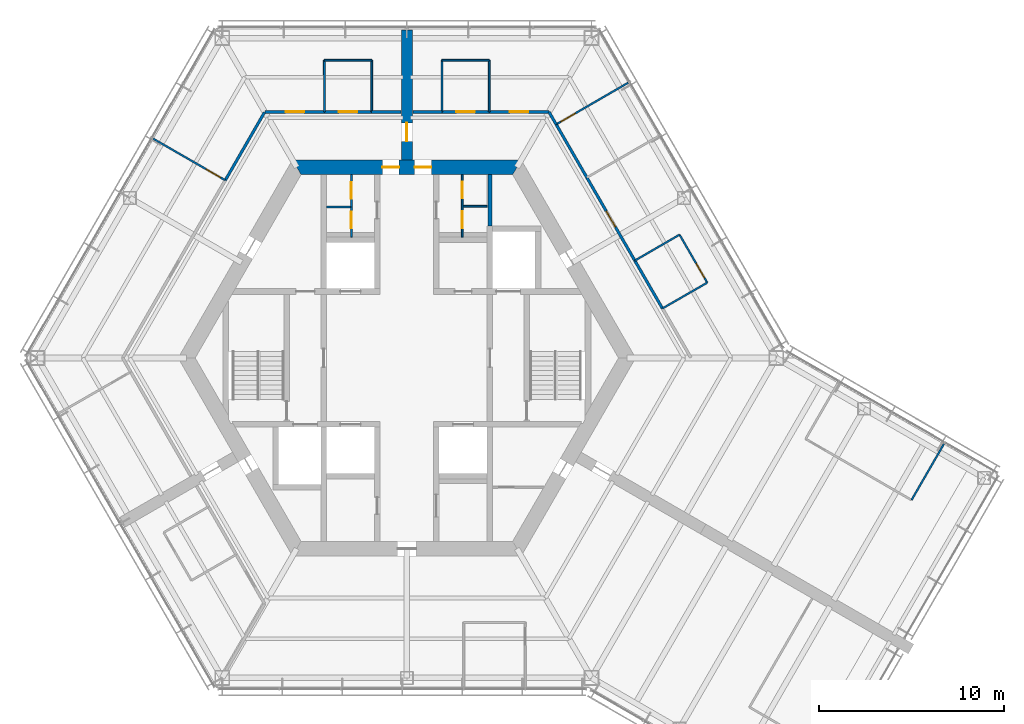
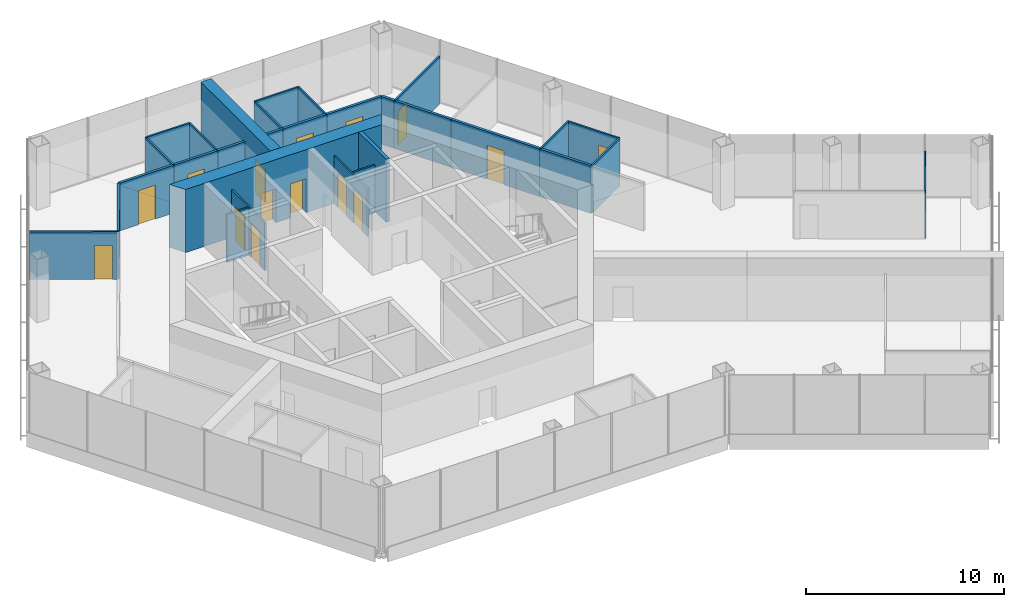
# One storey, part 12 of 15: 30 walls, 15 doors, 15 openings.
"""IFC4 building model written with IfcOpenShell, lengths in metres."""

from ifc_helpers import new_model, si_unit, direction, frame, frame_2d, origin, place, context, subcontext, project, spatial, polyline, rectangle, outline, extrude, material, layer, layer_set, type_object, element, fill, save


model = new_model("IFC4")

# Units and contexts
model_context = context("Model", 3, precision=1e-05, world=origin(), true_north=direction((0.0, 1.0)))
body_context = subcontext(model_context, "Body", "Model", "MODEL_VIEW")
ifc_project = project(units=[si_unit("LENGTHUNIT", "METRE"), si_unit("AREAUNIT", "SQUARE_METRE"), si_unit("VOLUMEUNIT", "CUBIC_METRE"), si_unit("PLANEANGLEUNIT", "RADIAN"), si_unit("MASSUNIT", "GRAM", prefix="KILO")], contexts=[model_context])

# Site, building, storey
site_placement = place(None, origin())
site = spatial("IfcSite", under=ifc_project, at=site_placement, CompositionType="ELEMENT")
building_placement = place(site_placement, origin())
building = spatial("IfcBuilding", under=site, at=building_placement, Name="Kasaneha Research Tower", CompositionType="ELEMENT")
storey_placement = place(building_placement, frame((0.0, 0.0, 236.199951171875)))
storey = spatial("IfcBuildingStorey", under=building, at=storey_placement, Name="L59", CompositionType="ELEMENT", Elevation=236.199951171875)

# Wall, openings, doors
ifc_material_1 = material(Name="Concrete Fc60", Category="concrete")
ifc_layer_1 = layer(ifc_material_1, 0.800048828125)
ifc_layer_set_1 = layer_set([ifc_layer_1], Name="Core wall 800 Fc60")
wall_type_1 = type_object("IfcWallType", Name="Core wall 800 Fc60", PredefinedType="SHEAR", material=ifc_layer_set_1)
wall_1_placement = place(storey_placement, frame((5.961181640625, 10.324951171875, 0.0), z_axis=(0.0, 0.0, 1.0), x_axis=(-1.0, 0.0, 0.0)))
wall_1 = element("IfcWall", 1, at=wall_1_placement, inside=storey, type_object=wall_type_1, Name="Core wall 090 L59", PredefinedType="SHEAR", context=body_context, shape_type="SweptSolid", body=[
    extrude(outline(polyline([(-0.23095703125, -0.39990234375), (4.63623046875, -0.39990234375), (5.5361328125, -0.39990234375), (6.38623046875, -0.39990234375), (7.2861328125, -0.39990234375), (12.1533203125, -0.39990234375), (11.69140625, 0.39990234375), (7.2861328125, 0.39990234375), (6.38623046875, 0.39990234375), (5.5361328125, 0.39990234375), (4.63623046875, 0.39990234375), (0.23095703125, 0.39990234375), (-0.23095703125, -0.39990234375)])), origin(), (0.0, 0.0, 1.0), 3.900146484375),
])
opening_1_placement = place(wall_1_placement, frame((6.38623046875, 0.0, 0.0)))
opening_1 = element("IfcOpeningElement", 2, at=opening_1_placement, cuts=wall_1, Name="Opening L59-D01", PredefinedType="OPENING", context=body_context, shape_type="SweptSolid", body=[
    extrude(rectangle(XDim=0.89990234375, YDim=2.10009765625, at=frame_2d((0.449951171875, 1.050048828125))), frame((0.0, 0.41015625, 0.0), z_axis=(0.0, -1.0, 0.0), x_axis=(1.0, 0.0, 0.0)), (0.0, 0.0, 1.0), 0.820068359375),
])
opening_2_placement = place(wall_1_placement, frame((4.63623046875, 0.0, 0.0)))
opening_2 = element("IfcOpeningElement", 3, at=opening_2_placement, cuts=wall_1, Name="Opening L59-D02", PredefinedType="OPENING", context=body_context, shape_type="SweptSolid", body=[
    extrude(rectangle(XDim=0.89990234375, YDim=2.10009765625, at=frame_2d((0.449951171875, 1.050048828125))), frame((0.0, 0.41015625, 0.0), z_axis=(0.0, -1.0, 0.0), x_axis=(1.0, 0.0, 0.0)), (0.0, 0.0, 1.0), 0.820068359375),
])
ifc_material_2 = material(Name="Steel", Category="steel")
door_type_1 = type_object("IfcDoorType", Name="Toilet door FD20 900x2100", OperationType="NOTDEFINED", PredefinedType="DOOR", material=ifc_material_2)
door_1_placement = place(opening_1_placement, origin())
door_1 = element("IfcDoor", 4, at=door_1_placement, inside=storey, type_object=door_type_1, Name="Core door north 1 L59-D01", OperationType="SINGLE_SWING_RIGHT", OverallHeight=2.10009765625, OverallWidth=0.89990234375, PredefinedType="DOOR", context=body_context, shape_type="SweptSolid", body=[
    extrude(rectangle(XDim=0.89990234375, YDim=2.10009765625, at=frame_2d((0.449951171875, 1.050048828125))), frame((0.0, 0.02490234375, 0.0), z_axis=(0.0, -1.0, 0.0), x_axis=(1.0, 0.0, 0.0)), (0.0, 0.0, 1.0), 0.050048828125),
])
fill(opening_1, door_1)
door_2_placement = place(opening_2_placement, origin())
door_2 = element("IfcDoor", 5, at=door_2_placement, inside=storey, type_object=door_type_1, Name="Core door north 2 L59-D02", OperationType="SINGLE_SWING_LEFT", OverallHeight=2.10009765625, OverallWidth=0.89990234375, PredefinedType="DOOR", context=body_context, shape_type="SweptSolid", body=[
    extrude(rectangle(XDim=0.89990234375, YDim=2.10009765625, at=frame_2d((0.449951171875, 1.050048828125))), frame((0.0, 0.02490234375, 0.0), z_axis=(0.0, -1.0, 0.0), x_axis=(1.0, 0.0, 0.0)), (0.0, 0.0, 1.0), 0.050048828125),
])
fill(opening_2, door_2)

ifc_material_3 = material(Name="Gypsum board on steel studs, one layer each side", Category="steel")
ifc_layer_2 = layer(ifc_material_3, 0.10009765625)
ifc_layer_set_2 = layer_set([ifc_layer_2], Name="Office partition 100")
wall_type_2 = type_object("IfcWallType", Name="Office partition 100", PredefinedType="PARTITIONING", material=ifc_layer_set_2)
wall_2_placement = place(storey_placement, frame((-3.0, 6.550048828125, 0.0), z_axis=(0.0, 0.0, 1.0), x_axis=(0.0, 1.0, 0.0)))
wall_2 = element("IfcWall", 6, at=wall_2_placement, inside=storey, type_object=wall_type_2, Name="Office partition TBM1 L59", PredefinedType="PARTITIONING", context=body_context, shape_type="SweptSolid", body=[
    extrude(rectangle(XDim=3.375, YDim=0.10009765625, at=frame_2d((1.6875, 0.0))), origin(), (0.0, 0.0, 1.0), 2.949951171875),
])
opening_3_placement = place(wall_2_placement, frame((2.074951171875, 0.0, 0.0)))
opening_3 = element("IfcOpeningElement", 7, at=opening_3_placement, cuts=wall_2, Name="Opening L59-D21", PredefinedType="OPENING", context=body_context, shape_type="SweptSolid", body=[
    extrude(rectangle(XDim=0.89990234375, YDim=2.10009765625, at=frame_2d((0.449951171875, 1.050048828125))), frame((0.0, 0.06005859375, 0.0), z_axis=(0.0, -1.0, 0.0), x_axis=(1.0, 0.0, 0.0)), (0.0, 0.0, 1.0), 0.1201171875),
])
opening_4_placement = place(wall_2_placement, frame((0.46240234375, 0.0, 0.0)))
opening_4 = element("IfcOpeningElement", 8, at=opening_4_placement, cuts=wall_2, Name="Opening L59-D22", PredefinedType="OPENING", context=body_context, shape_type="SweptSolid", body=[
    extrude(rectangle(XDim=0.89990234375, YDim=2.10009765625, at=frame_2d((0.449951171875, 1.050048828125))), frame((0.0, 0.06005859375, 0.0), z_axis=(0.0, -1.0, 0.0), x_axis=(1.0, 0.0, 0.0)), (0.0, 0.0, 1.0), 0.1201171875),
])
ifc_material_4 = material(Name="Steel", Category="steel")
door_type_2 = type_object("IfcDoorType", Name="Toilet lobby door FD30 900x2100", OperationType="NOTDEFINED", PredefinedType="DOOR", material=ifc_material_4)
door_3_placement = place(opening_3_placement, origin())
door_3 = element("IfcDoor", 9, at=door_3_placement, inside=storey, type_object=door_type_2, Name="Men's WC door L59-D21", OperationType="SINGLE_SWING_RIGHT", OverallHeight=2.10009765625, OverallWidth=0.89990234375, PredefinedType="DOOR", context=body_context, shape_type="SweptSolid", body=[
    extrude(rectangle(XDim=0.89990234375, YDim=2.10009765625, at=frame_2d((0.449951171875, 1.050048828125))), frame((0.0, 0.02490234375, 0.0), z_axis=(0.0, -1.0, 0.0), x_axis=(1.0, 0.0, 0.0)), (0.0, 0.0, 1.0), 0.050048828125),
])
fill(opening_3, door_3)
door_4_placement = place(opening_4_placement, origin())
door_4 = element("IfcDoor", 10, at=door_4_placement, inside=storey, type_object=door_type_2, Name="Cleaner's store door L59-D22", OperationType="SINGLE_SWING_RIGHT", OverallHeight=2.10009765625, OverallWidth=0.89990234375, PredefinedType="DOOR", context=body_context, shape_type="SweptSolid", body=[
    extrude(rectangle(XDim=0.89990234375, YDim=2.10009765625, at=frame_2d((0.449951171875, 1.050048828125))), frame((0.0, 0.02490234375, 0.0), z_axis=(0.0, -1.0, 0.0), x_axis=(1.0, 0.0, 0.0)), (0.0, 0.0, 1.0), 0.050048828125),
])
fill(opening_4, door_4)

# Wall
wall_3_placement = place(storey_placement, frame((-3.050048828125, 8.175048828125, 0.0), z_axis=(0.0, 0.0, 1.0), x_axis=(-1.0, 0.0, 0.0)))
element("IfcWall", 11, at=wall_3_placement, inside=storey, type_object=wall_type_2, Name="Office partition TBM2 L59", PredefinedType="PARTITIONING", context=body_context, shape_type="SweptSolid", body=[
    extrude(rectangle(XDim=1.300048828125, YDim=0.10009765625, at=frame_2d((0.64990234375, 0.0))), origin(), (0.0, 0.0, 1.0), 2.949951171875),
])

# Wall, openings, doors
wall_4_placement = place(storey_placement, frame((3.0, 6.550048828125, 0.0), z_axis=(0.0, 0.0, 1.0), x_axis=(0.0, 1.0, 0.0)))
wall_4 = element("IfcWall", 12, at=wall_4_placement, inside=storey, type_object=wall_type_2, Name="Office partition TBF1 L59", PredefinedType="PARTITIONING", context=body_context, shape_type="SweptSolid", body=[
    extrude(rectangle(XDim=3.375, YDim=0.10009765625, at=frame_2d((1.6875, 0.0))), origin(), (0.0, 0.0, 1.0), 2.949951171875),
])
opening_5_placement = place(wall_4_placement, frame((2.09521484375, 0.0, 0.0)))
opening_5 = element("IfcOpeningElement", 13, at=opening_5_placement, cuts=wall_4, Name="Opening L59-D23", PredefinedType="OPENING", context=body_context, shape_type="SweptSolid", body=[
    extrude(rectangle(XDim=0.89990234375, YDim=2.10009765625, at=frame_2d((0.449951171875, 1.050048828125))), frame((0.0, 0.06005859375, 0.0), z_axis=(0.0, -1.0, 0.0), x_axis=(1.0, 0.0, 0.0)), (0.0, 0.0, 1.0), 0.1201171875),
])
opening_6_placement = place(wall_4_placement, frame((0.482666015625, 0.0, 0.0)))
opening_6 = element("IfcOpeningElement", 14, at=opening_6_placement, cuts=wall_4, Name="Opening L59-D24", PredefinedType="OPENING", context=body_context, shape_type="SweptSolid", body=[
    extrude(rectangle(XDim=0.89990234375, YDim=2.10009765625, at=frame_2d((0.449951171875, 1.050048828125))), frame((0.0, 0.06005859375, 0.0), z_axis=(0.0, -1.0, 0.0), x_axis=(1.0, 0.0, 0.0)), (0.0, 0.0, 1.0), 0.1201171875),
])
door_5_placement = place(opening_5_placement, origin())
door_5 = element("IfcDoor", 15, at=door_5_placement, inside=storey, type_object=door_type_2, Name="Women's WC door L59-D23", OperationType="SINGLE_SWING_RIGHT", OverallHeight=2.10009765625, OverallWidth=0.89990234375, PredefinedType="DOOR", context=body_context, shape_type="SweptSolid", body=[
    extrude(rectangle(XDim=0.89990234375, YDim=2.10009765625, at=frame_2d((0.449951171875, 1.050048828125))), frame((0.0, 0.02490234375, 0.0), z_axis=(0.0, -1.0, 0.0), x_axis=(1.0, 0.0, 0.0)), (0.0, 0.0, 1.0), 0.050048828125),
])
fill(opening_5, door_5)
door_6_placement = place(opening_6_placement, origin())
door_6 = element("IfcDoor", 16, at=door_6_placement, inside=storey, type_object=door_type_2, Name="Shower room door L59-D24", OperationType="SINGLE_SWING_RIGHT", OverallHeight=2.10009765625, OverallWidth=0.89990234375, PredefinedType="DOOR", context=body_context, shape_type="SweptSolid", body=[
    extrude(rectangle(XDim=0.89990234375, YDim=2.10009765625, at=frame_2d((0.449951171875, 1.050048828125))), frame((0.0, 0.02490234375, 0.0), z_axis=(0.0, -1.0, 0.0), x_axis=(1.0, 0.0, 0.0)), (0.0, 0.0, 1.0), 0.050048828125),
])
fill(opening_6, door_6)

# Walls
wall_5_placement = place(storey_placement, frame((3.050048828125, 8.21533203125, 0.0), z_axis=(0.0, 0.0, 1.0), x_axis=(1.0, 0.0, 0.0)))
element("IfcWall", 17, at=wall_5_placement, inside=storey, type_object=wall_type_2, Name="Office partition TBF2 L59", PredefinedType="PARTITIONING", context=body_context, shape_type="SweptSolid", body=[
    extrude(rectangle(XDim=1.300048828125, YDim=0.10009765625, at=frame_2d((0.64990234375, 0.0))), origin(), (0.0, 0.0, 1.0), 2.949951171875),
])
wall_6_placement = place(storey_placement, frame((1.89990234375, 16.125, 0.0), z_axis=(0.0, 0.0, 1.0), x_axis=(1.0, 0.0, 0.0)))
element("IfcWall", 18, at=wall_6_placement, inside=storey, type_object=wall_type_2, Name="Office partition FAE09 L59", PredefinedType="PARTITIONING", context=body_context, shape_type="SweptSolid", body=[
    extrude(rectangle(XDim=2.565185546875, YDim=0.10009765625, at=frame_2d((1.28271484375, 0.0))), origin(), (0.0, 0.0, 1.0), 2.949951171875),
])
for number, where, z_axis, x_axis, name in (
    (19, (1.904541015625, 13.324951171875, 0.0), (0.0, 0.0, 1.0), (-0.001656637364, 0.999998627775, 0.0), "Office partition FAE10 L59"),
    (20, (4.465087890625, 16.125, 0.0), (0.0, 0.0, 1.0), (-0.001656637364, -0.999998627775, 0.0), "Office partition FAE11 L59"),
    (21, (12.342041015625, 5.27294921875, 0.0), (0.0, 0.0, 1.0), (0.865195372903, 0.501434907746, 0.0), "Office partition FAE12 L59"),
):
    element("IfcWall", number, at=place(storey_placement, frame(where, z_axis=z_axis, x_axis=x_axis)), inside=storey, type_object=wall_type_2, Name=name, PredefinedType="PARTITIONING", context=body_context, shape_type="SweptSolid", body=[
        extrude(rectangle(XDim=2.800048828125, YDim=0.10009765625, at=frame_2d((1.39990234375, 0.0))), origin(), (0.0, 0.0, 1.0), 2.949951171875),
    ])

# Wall, opening, door
wall_7_placement = place(storey_placement, frame((14.7646484375, 6.677001953125, 0.0), z_axis=(0.0, 0.0, 1.0), x_axis=(0.499990139034, -0.866031096941, 0.0)))
wall_7 = element("IfcWall", 22, at=wall_7_placement, inside=storey, type_object=wall_type_2, Name="Office partition FAE13 L59", PredefinedType="PARTITIONING", context=body_context, shape_type="SweptSolid", body=[
    extrude(rectangle(XDim=3.0, YDim=0.10009765625, at=frame_2d((1.5, 0.0))), origin(), (0.0, 0.0, 1.0), 2.949951171875),
])
opening_7_placement = place(wall_7_placement, frame((1.800048828125, 0.0, 0.0)))
opening_7 = element("IfcOpeningElement", 23, at=opening_7_placement, cuts=wall_7, Name="Opening L59-D29", PredefinedType="OPENING", context=body_context, shape_type="SweptSolid", body=[
    extrude(rectangle(XDim=0.89990234375, YDim=2.10009765625, at=frame_2d((0.449951171875, 1.050048828125))), frame((0.0, 0.06005859375, 0.0), z_axis=(0.0, -1.0, 0.0), x_axis=(1.0, 0.0, 0.0)), (0.0, 0.0, 1.0), 0.1201171875),
])
ifc_material_5 = material(Name="Timber veneer", Category="wood")
door_type_3 = type_object("IfcDoorType", Name="Office door 900x2100", OperationType="SINGLE_SWING_LEFT", PredefinedType="DOOR", material=ifc_material_5)
door_7_placement = place(opening_7_placement, origin())
door_7 = element("IfcDoor", 24, at=door_7_placement, inside=storey, type_object=door_type_3, Name="Pantry door L59-D29", OperationType="SINGLE_SWING_RIGHT", OverallHeight=2.10009765625, OverallWidth=0.89990234375, PredefinedType="DOOR", context=body_context, shape_type="SweptSolid", body=[
    extrude(rectangle(XDim=0.89990234375, YDim=2.10009765625, at=frame_2d((0.449951171875, 1.050048828125))), frame((0.0, 0.02490234375, 0.0), z_axis=(0.0, -1.0, 0.0), x_axis=(1.0, 0.0, 0.0)), (0.0, 0.0, 1.0), 0.050048828125),
])
fill(opening_7, door_7)

# Wall
wall_8_placement = place(storey_placement, frame((16.2646484375, 4.078857421875, 0.0), z_axis=(0.0, 0.0, 1.0), x_axis=(-0.86679607088, -0.498662783358, 0.0)))
element("IfcWall", 25, at=wall_8_placement, inside=storey, type_object=wall_type_2, Name="Office partition FAE14 L59", PredefinedType="PARTITIONING", context=body_context, shape_type="SweptSolid", body=[
    extrude(rectangle(XDim=2.800048828125, YDim=0.10009765625, at=frame_2d((1.39990234375, 0.0))), origin(), (0.0, 0.0, 1.0), 2.949951171875),
])

# Wall, opening, door
wall_9_placement = place(storey_placement, frame((8.084228515625, 12.647705078125, 0.0), z_axis=(0.0, 0.0, 1.0), x_axis=(0.865532616855, 0.500852562298, 0.0)))
wall_9 = element("IfcWall", 26, at=wall_9_placement, inside=storey, type_object=wall_type_2, Name="Office partition FAE16 L59", PredefinedType="PARTITIONING", context=body_context, shape_type="SweptSolid", body=[
    extrude(rectangle(XDim=4.505615234375, YDim=0.10009765625, at=frame_2d((2.2529296875, 0.0))), origin(), (0.0, 0.0, 1.0), 2.949951171875),
])
opening_8_placement = place(wall_9_placement, frame((0.300048828125, 0.0, 0.0)))
opening_8 = element("IfcOpeningElement", 27, at=opening_8_placement, cuts=wall_9, Name="Opening L59-D30", PredefinedType="OPENING", context=body_context, shape_type="SweptSolid", body=[
    extrude(rectangle(XDim=0.89990234375, YDim=2.10009765625, at=frame_2d((0.449951171875, 1.050048828125))), frame((0.0, 0.06005859375, 0.0), z_axis=(0.0, -1.0, 0.0), x_axis=(1.0, 0.0, 0.0)), (0.0, 0.0, 1.0), 0.1201171875),
])
door_8_placement = place(opening_8_placement, origin())
door_8 = element("IfcDoor", 28, at=door_8_placement, inside=storey, type_object=door_type_3, Name="Meeting room door L59-D30", OperationType="SINGLE_SWING_LEFT", OverallHeight=2.10009765625, OverallWidth=0.89990234375, PredefinedType="DOOR", context=body_context, shape_type="SweptSolid", body=[
    extrude(rectangle(XDim=0.89990234375, YDim=2.10009765625, at=frame_2d((0.449951171875, 1.050048828125))), frame((0.0, 0.02490234375, 0.0), z_axis=(0.0, -1.0, 0.0), x_axis=(1.0, 0.0, 0.0)), (0.0, 0.0, 1.0), 0.050048828125),
])
fill(opening_8, door_8)

# Walls
wall_10_placement = place(storey_placement, frame((-4.465087890625, 16.125, 0.0), z_axis=(0.0, 0.0, 1.0), x_axis=(1.0, 0.0, 0.0)))
element("IfcWall", 29, at=wall_10_placement, inside=storey, type_object=wall_type_2, Name="Office partition FAW04 L59", PredefinedType="PARTITIONING", context=body_context, shape_type="SweptSolid", body=[
    extrude(rectangle(XDim=2.565185546875, YDim=0.10009765625, at=frame_2d((1.28271484375, 0.0))), origin(), (0.0, 0.0, 1.0), 2.949951171875),
])
for number, where, z_axis, x_axis, name in (
    (30, (-4.46044921875, 13.324951171875, 0.0), (0.0, 0.0, 1.0), (-0.001656637364, 0.999998627775, 0.0), "Office partition FAW05 L59"),
    (31, (-1.89990234375, 16.125, 0.0), (0.0, 0.0, 1.0), (-0.001656637364, -0.999998627775, 0.0), "Office partition FAW06 L59"),
):
    element("IfcWall", number, at=place(storey_placement, frame(where, z_axis=z_axis, x_axis=x_axis)), inside=storey, type_object=wall_type_2, Name=name, PredefinedType="PARTITIONING", context=body_context, shape_type="SweptSolid", body=[
        extrude(rectangle(XDim=2.800048828125, YDim=0.10009765625, at=frame_2d((1.39990234375, 0.0))), origin(), (0.0, 0.0, 1.0), 2.949951171875),
    ])

# Wall, opening, door
wall_11_placement = place(storey_placement, frame((-9.829833984375, 9.624267578125, 0.0), z_axis=(0.0, 0.0, 1.0), x_axis=(-0.866527293697, 0.499129691842, 0.0)))
wall_11 = element("IfcWall", 32, at=wall_11_placement, inside=storey, type_object=wall_type_2, Name="Office partition FBN06 L59", PredefinedType="PARTITIONING", context=body_context, shape_type="SweptSolid", body=[
    extrude(rectangle(XDim=4.50537109375, YDim=0.10009765625, at=frame_2d((2.252685546875, 0.0))), origin(), (0.0, 0.0, 1.0), 2.949951171875),
])
opening_9_placement = place(wall_11_placement, frame((0.300048828125, 0.0, 0.0)))
opening_9 = element("IfcOpeningElement", 33, at=opening_9_placement, cuts=wall_11, Name="Opening L59-D35", PredefinedType="OPENING", context=body_context, shape_type="SweptSolid", body=[
    extrude(rectangle(XDim=0.89990234375, YDim=2.10009765625, at=frame_2d((0.449951171875, 1.050048828125))), frame((0.0, 0.06005859375, 0.0), z_axis=(0.0, -1.0, 0.0), x_axis=(1.0, 0.0, 0.0)), (0.0, 0.0, 1.0), 0.1201171875),
])
door_9_placement = place(opening_9_placement, origin())
door_9 = element("IfcDoor", 34, at=door_9_placement, inside=storey, type_object=door_type_3, Name="Reading room door L59-D35", OperationType="SINGLE_SWING_LEFT", OverallHeight=2.10009765625, OverallWidth=0.89990234375, PredefinedType="DOOR", context=body_context, shape_type="SweptSolid", body=[
    extrude(rectangle(XDim=0.89990234375, YDim=2.10009765625, at=frame_2d((0.449951171875, 1.050048828125))), frame((0.0, 0.02490234375, 0.0), z_axis=(0.0, -1.0, 0.0), x_axis=(1.0, 0.0, 0.0)), (0.0, 0.0, 1.0), 0.050048828125),
])
fill(opening_9, door_9)

# Walls
wall_12_placement = place(storey_placement, frame((29.080078125, -4.6533203125, 0.0), z_axis=(0.0, 0.0, 1.0), x_axis=(-0.500021481416, -0.866013001128, 0.0)))
element("IfcWall", 35, at=wall_12_placement, inside=storey, type_object=wall_type_2, Name="Office partition FCE03 L59", PredefinedType="PARTITIONING", context=body_context, shape_type="SweptSolid", body=[
    extrude(rectangle(XDim=3.510009765625, YDim=0.10009765625, at=frame_2d((1.7548828125, 0.0))), origin(), (0.0, 0.0, 1.0), 2.949951171875),
])
ifc_material_6 = material(Name="Concrete block", Category="concrete")
ifc_layer_3 = layer(ifc_material_6, 0.199951171875)
ifc_layer_set_3 = layer_set([ifc_layer_3], Name="Riser enclosure wall 200")
wall_type_3 = type_object("IfcWallType", Name="Riser enclosure wall 200", PredefinedType="STANDARD", material=ifc_layer_set_3)
wall_13_placement = place(storey_placement, frame((4.5, 7.14990234375, 0.0), z_axis=(0.0, 0.0, 1.0), x_axis=(0.0, 1.0, 0.0)))
element("IfcWall", 36, at=wall_13_placement, inside=storey, type_object=wall_type_3, Name="Riser enclosure wall L59", PredefinedType="STANDARD", context=body_context, shape_type="SweptSolid", body=[
    extrude(rectangle(XDim=2.775146484375, YDim=0.199951171875, at=frame_2d((1.3876953125, 0.0))), origin(), (0.0, 0.0, 1.0), 3.900146484375),
])

# Wall, opening, door
ifc_material_7 = material(Name="Concrete Fc60", Category="concrete")
ifc_layer_4 = layer(ifc_material_7, 0.60009765625)
ifc_layer_set_4 = layer_set([ifc_layer_4], Name="Spine wall 600 Fc60")
wall_type_4 = type_object("IfcWallType", Name="Spine wall 600 Fc60", PredefinedType="SHEAR", material=ifc_layer_set_4)
wall_14_placement = place(storey_placement, frame((0.0, 10.72509765625, 0.0), z_axis=(0.0, 0.0, 1.0), x_axis=(0.0, 1.0, 0.0)))
wall_14 = element("IfcWall", 37, at=wall_14_placement, inside=storey, type_object=wall_type_4, Name="Spine wall A L59", PredefinedType="SHEAR", context=body_context, shape_type="SweptSolid", body=[
    extrude(rectangle(XDim=7.04541015625, YDim=0.60009765625, at=frame_2d((3.522705078125, 0.0))), origin(), (0.0, 0.0, 1.0), 3.900146484375),
])
opening_10_placement = place(wall_14_placement, frame((1.0, 0.0, 0.0)))
opening_10 = element("IfcOpeningElement", 38, at=opening_10_placement, cuts=wall_14, Name="Opening L59-D18", PredefinedType="OPENING", context=body_context, shape_type="SweptSolid", body=[
    extrude(rectangle(XDim=1.0, YDim=2.10009765625, at=frame_2d((0.5, 1.050048828125))), frame((0.0, 0.31005859375, 0.0), z_axis=(0.0, -1.0, 0.0), x_axis=(1.0, 0.0, 0.0)), (0.0, 0.0, 1.0), 0.6201171875),
])
ifc_material_8 = material(Name="Steel", Category="steel")
door_type_4 = type_object("IfcDoorType", Name="Specified fire door FD60 1000x2100", OperationType="NOTDEFINED", PredefinedType="DOOR", material=ifc_material_8)
door_10_placement = place(opening_10_placement, origin())
door_10 = element("IfcDoor", 39, at=door_10_placement, inside=storey, type_object=door_type_4, Name="Spine doorway A L59-D18", OperationType="SINGLE_SWING_LEFT", OverallHeight=2.10009765625, OverallWidth=1.0, PredefinedType="DOOR", context=body_context, shape_type="SweptSolid", body=[
    extrude(rectangle(XDim=1.0, YDim=2.10009765625, at=frame_2d((0.5, 1.050048828125))), frame((0.0, 0.02490234375, 0.0), z_axis=(0.0, -1.0, 0.0), x_axis=(1.0, 0.0, 0.0)), (0.0, 0.0, 1.0), 0.050048828125),
])
fill(opening_10, door_10)

ifc_material_9 = material(Name="Gypsum board on steel studs, two layers each side", Category="steel")
ifc_layer_5 = layer(ifc_material_9, 0.14990234375)
ifc_layer_set_5 = layer_set([ifc_layer_5], Name="Suite partition 150")
wall_type_5 = type_object("IfcWallType", Name="Suite partition 150", PredefinedType="PARTITIONING", material=ifc_layer_set_5)
wall_15_placement = place(storey_placement, frame((1.89501953125, 13.324951171875, 0.0), z_axis=(0.0, 0.0, 1.0), x_axis=(1.0, 0.0, 0.0)))
wall_15 = element("IfcWall", 40, at=wall_15_placement, inside=storey, type_object=wall_type_5, Name="Suite partition FAE01 L59", PredefinedType="PARTITIONING", context=body_context, shape_type="SweptSolid", body=[
    extrude(rectangle(XDim=2.574951171875, YDim=0.14990234375, at=frame_2d((1.28759765625, 0.0))), origin(), (0.0, 0.0, 1.0), 2.949951171875),
])
opening_11_placement = place(wall_15_placement, frame((0.78759765625, 0.0, 0.0)))
opening_11 = element("IfcOpeningElement", 41, at=opening_11_placement, cuts=wall_15, Name="Opening L59-D26", PredefinedType="OPENING", context=body_context, shape_type="SweptSolid", body=[
    extrude(rectangle(XDim=1.0, YDim=2.10009765625, at=frame_2d((0.5, 1.050048828125))), frame((0.0, 0.0849609375, 0.0), z_axis=(0.0, -1.0, 0.0), x_axis=(1.0, 0.0, 0.0)), (0.0, 0.0, 1.0), 0.169921875),
])
ifc_material_10 = material(Name="Steel", Category="steel")
door_type_5 = type_object("IfcDoorType", Name="Suite entrance door FD60 1000x2100", OperationType="NOTDEFINED", PredefinedType="DOOR", material=ifc_material_10)
door_11_placement = place(opening_11_placement, origin())
door_11 = element("IfcDoor", 42, at=door_11_placement, inside=storey, type_object=door_type_5, Name="Suite entrance door L59-D26", OperationType="SINGLE_SWING_RIGHT", OverallHeight=2.10009765625, OverallWidth=1.0, PredefinedType="DOOR", context=body_context, shape_type="SweptSolid", body=[
    extrude(rectangle(XDim=1.0, YDim=2.10009765625, at=frame_2d((0.5, 1.050048828125))), frame((0.0, 0.02490234375, 0.0), z_axis=(0.0, -1.0, 0.0), x_axis=(1.0, 0.0, 0.0)), (0.0, 0.0, 1.0), 0.050048828125),
])
fill(opening_11, door_11)

# Walls
wall_16_placement = place(storey_placement, frame((12.33740234375, 5.28125, 0.0), z_axis=(0.0, 0.0, 1.0), x_axis=(0.499977562641, -0.866038357612, 0.0)))
element("IfcWall", 43, at=wall_16_placement, inside=storey, type_object=wall_type_5, Name="Suite partition FAE02 L59", PredefinedType="PARTITIONING", context=body_context, shape_type="SweptSolid", body=[
    extrude(rectangle(XDim=3.010009765625, YDim=0.14990234375, at=frame_2d((1.5048828125, 0.0))), origin(), (0.0, 0.0, 1.0), 2.949951171875),
])
wall_17_placement = place(storey_placement, frame((8.07958984375, 12.65576171875, 0.0), z_axis=(0.0, 0.0, 1.0), x_axis=(0.499990242038, -0.866031037473, 0.0)))
element("IfcWall", 44, at=wall_17_placement, inside=storey, type_object=wall_type_5, Name="Suite partition FAE03 L59", PredefinedType="PARTITIONING", context=body_context, shape_type="SweptSolid", body=[
    extrude(rectangle(XDim=3.3408203125, YDim=0.14990234375, at=frame_2d((1.67041015625, 0.0))), origin(), (0.0, 0.0, 1.0), 2.949951171875),
])

# Wall, opening, door
wall_18_placement = place(storey_placement, frame((9.745361328125, 9.770751953125, 0.0), z_axis=(0.0, 0.0, 1.0), x_axis=(0.499981525251, -0.866036069923, 0.0)))
wall_18 = element("IfcWall", 45, at=wall_18_placement, inside=storey, type_object=wall_type_5, Name="Suite partition FAE04 L59", PredefinedType="PARTITIONING", context=body_context, shape_type="SweptSolid", body=[
    extrude(rectangle(XDim=5.193603515625, YDim=0.14990234375, at=frame_2d((2.5966796875, 0.0))), origin(), (0.0, 0.0, 1.0), 2.949951171875),
])
opening_12_placement = place(wall_18_placement, frame((2.0966796875, 0.0, 0.0)))
opening_12 = element("IfcOpeningElement", 46, at=opening_12_placement, cuts=wall_18, Name="Opening L59-D27", PredefinedType="OPENING", context=body_context, shape_type="SweptSolid", body=[
    extrude(rectangle(XDim=1.0, YDim=2.10009765625, at=frame_2d((0.5, 1.050048828125))), frame((0.0, 0.0849609375, 0.0), z_axis=(0.0, -1.0, 0.0), x_axis=(1.0, 0.0, 0.0)), (0.0, 0.0, 1.0), 0.169921875),
])
door_12_placement = place(opening_12_placement, origin())
door_12 = element("IfcDoor", 47, at=door_12_placement, inside=storey, type_object=door_type_5, Name="Suite entrance door L59-D27", OperationType="SINGLE_SWING_RIGHT", OverallHeight=2.10009765625, OverallWidth=1.0, PredefinedType="DOOR", context=body_context, shape_type="SweptSolid", body=[
    extrude(rectangle(XDim=1.0, YDim=2.10009765625, at=frame_2d((0.5, 1.050048828125))), frame((0.0, 0.02490234375, 0.0), z_axis=(0.0, -1.0, 0.0), x_axis=(1.0, 0.0, 0.0)), (0.0, 0.0, 1.0), 0.050048828125),
])
fill(opening_12, door_12)

# Wall
wall_19_placement = place(storey_placement, frame((0.320068359375, 13.324951171875, 0.0), z_axis=(0.0, 0.0, 1.0), x_axis=(1.0, 0.0, 0.0)))
element("IfcWall", 48, at=wall_19_placement, inside=storey, type_object=wall_type_5, Name="Suite partition FAE06 L59", PredefinedType="PARTITIONING", context=body_context, shape_type="SweptSolid", body=[
    extrude(rectangle(XDim=1.58447265625, YDim=0.14990234375, at=frame_2d((0.792236328125, 0.0))), origin(), (0.0, 0.0, 1.0), 2.949951171875),
])

# Wall, opening, door
wall_20_placement = place(storey_placement, frame((4.46044921875, 13.324951171875, 0.0), z_axis=(0.0, 0.0, 1.0), x_axis=(1.0, 0.0, 0.0)))
wall_20 = element("IfcWall", 49, at=wall_20_placement, inside=storey, type_object=wall_type_5, Name="Suite partition FAE07 L59", PredefinedType="PARTITIONING", context=body_context, shape_type="SweptSolid", body=[
    extrude(rectangle(XDim=3.232666015625, YDim=0.14990234375, at=frame_2d((1.6162109375, 0.0))), origin(), (0.0, 0.0, 1.0), 2.949951171875),
])
opening_13_placement = place(wall_20_placement, frame((1.116455078125, 0.0, 0.0)))
opening_13 = element("IfcOpeningElement", 50, at=opening_13_placement, cuts=wall_20, Name="Opening L59-D28", PredefinedType="OPENING", context=body_context, shape_type="SweptSolid", body=[
    extrude(rectangle(XDim=1.0, YDim=2.10009765625, at=frame_2d((0.5, 1.050048828125))), frame((0.0, 0.0849609375, 0.0), z_axis=(0.0, -1.0, 0.0), x_axis=(1.0, 0.0, 0.0)), (0.0, 0.0, 1.0), 0.169921875),
])
door_13_placement = place(opening_13_placement, origin())
door_13 = element("IfcDoor", 51, at=door_13_placement, inside=storey, type_object=door_type_5, Name="Suite entrance door L59-D28", OperationType="SINGLE_SWING_RIGHT", OverallHeight=2.10009765625, OverallWidth=1.0, PredefinedType="DOOR", context=body_context, shape_type="SweptSolid", body=[
    extrude(rectangle(XDim=1.0, YDim=2.10009765625, at=frame_2d((0.5, 1.050048828125))), frame((0.0, 0.02490234375, 0.0), z_axis=(0.0, -1.0, 0.0), x_axis=(1.0, 0.0, 0.0)), (0.0, 0.0, 1.0), 0.050048828125),
])
fill(opening_13, door_13)

# Wall
wall_21_placement = place(storey_placement, frame((7.693115234375, 13.324951171875, 0.0), z_axis=(0.0, 0.0, 1.0), x_axis=(0.50010075504, -0.86596722502, 0.0)))
element("IfcWall", 52, at=wall_21_placement, inside=storey, type_object=wall_type_5, Name="Suite partition FAE08 L59", PredefinedType="PARTITIONING", context=body_context, shape_type="SweptSolid", body=[
    extrude(rectangle(XDim=0.781982421875, YDim=0.14990234375, at=frame_2d((0.39111328125, 0.0))), origin(), (0.0, 0.0, 1.0), 2.949951171875),
])

# Wall, opening, door
wall_22_placement = place(storey_placement, frame((-4.469970703125, 13.324951171875, 0.0), z_axis=(0.0, 0.0, 1.0), x_axis=(1.0, 0.0, 0.0)))
wall_22 = element("IfcWall", 53, at=wall_22_placement, inside=storey, type_object=wall_type_5, Name="Suite partition FAW01 L59", PredefinedType="PARTITIONING", context=body_context, shape_type="SweptSolid", body=[
    extrude(rectangle(XDim=2.574951171875, YDim=0.14990234375, at=frame_2d((1.28759765625, 0.0))), origin(), (0.0, 0.0, 1.0), 2.949951171875),
])
opening_14_placement = place(wall_22_placement, frame((0.78759765625, 0.0, 0.0)))
opening_14 = element("IfcOpeningElement", 54, at=opening_14_placement, cuts=wall_22, Name="Opening L59-D31", PredefinedType="OPENING", context=body_context, shape_type="SweptSolid", body=[
    extrude(rectangle(XDim=1.0, YDim=2.10009765625, at=frame_2d((0.5, 1.050048828125))), frame((0.0, 0.0849609375, 0.0), z_axis=(0.0, -1.0, 0.0), x_axis=(1.0, 0.0, 0.0)), (0.0, 0.0, 1.0), 0.169921875),
])
door_14_placement = place(opening_14_placement, origin())
door_14 = element("IfcDoor", 55, at=door_14_placement, inside=storey, type_object=door_type_5, Name="Suite entrance door L59-D31", OperationType="SINGLE_SWING_RIGHT", OverallHeight=2.10009765625, OverallWidth=1.0, PredefinedType="DOOR", context=body_context, shape_type="SweptSolid", body=[
    extrude(rectangle(XDim=1.0, YDim=2.10009765625, at=frame_2d((0.5, 1.050048828125))), frame((0.0, 0.02490234375, 0.0), z_axis=(0.0, -1.0, 0.0), x_axis=(1.0, 0.0, 0.0)), (0.0, 0.0, 1.0), 0.050048828125),
])
fill(opening_14, door_14)

wall_23_placement = place(storey_placement, frame((-7.670166015625, 13.324951171875, 0.0), z_axis=(0.0, 0.0, 1.0), x_axis=(1.0, 0.0, 0.0)))
wall_23 = element("IfcWall", 56, at=wall_23_placement, inside=storey, type_object=wall_type_5, Name="Suite partition FAW02 L59", PredefinedType="PARTITIONING", context=body_context, shape_type="SweptSolid", body=[
    extrude(rectangle(XDim=3.209716796875, YDim=0.14990234375, at=frame_2d((1.60498046875, 0.0))), origin(), (0.0, 0.0, 1.0), 2.949951171875),
])
opening_15_placement = place(wall_23_placement, frame((1.104736328125, 0.0, 0.0)))
opening_15 = element("IfcOpeningElement", 57, at=opening_15_placement, cuts=wall_23, Name="Opening L59-D32", PredefinedType="OPENING", context=body_context, shape_type="SweptSolid", body=[
    extrude(rectangle(XDim=1.0, YDim=2.10009765625, at=frame_2d((0.5, 1.050048828125))), frame((0.0, 0.0849609375, 0.0), z_axis=(0.0, -1.0, 0.0), x_axis=(1.0, 0.0, 0.0)), (0.0, 0.0, 1.0), 0.169921875),
])
door_15_placement = place(opening_15_placement, origin())
door_15 = element("IfcDoor", 58, at=door_15_placement, inside=storey, type_object=door_type_5, Name="Suite entrance door L59-D32", OperationType="SINGLE_SWING_LEFT", OverallHeight=2.10009765625, OverallWidth=1.0, PredefinedType="DOOR", context=body_context, shape_type="SweptSolid", body=[
    extrude(rectangle(XDim=1.0, YDim=2.10009765625, at=frame_2d((0.5, 1.050048828125))), frame((0.0, 0.02490234375, 0.0), z_axis=(0.0, -1.0, 0.0), x_axis=(1.0, 0.0, 0.0)), (0.0, 0.0, 1.0), 0.050048828125),
])
fill(opening_15, door_15)

# Walls
wall_24_placement = place(storey_placement, frame((-1.904541015625, 13.324951171875, 0.0), z_axis=(0.0, 0.0, 1.0), x_axis=(1.0, 0.0, 0.0)))
element("IfcWall", 59, at=wall_24_placement, inside=storey, type_object=wall_type_5, Name="Suite partition FAW03 L59", PredefinedType="PARTITIONING", context=body_context, shape_type="SweptSolid", body=[
    extrude(rectangle(XDim=1.58447265625, YDim=0.14990234375, at=frame_2d((0.792236328125, 0.0))), origin(), (0.0, 0.0, 1.0), 2.949951171875),
])
wall_25_placement = place(storey_placement, frame((-9.834716796875, 9.6162109375, 0.0), z_axis=(0.0, 0.0, 1.0), x_axis=(0.500078009402, 0.86598036035, 0.0)))
element("IfcWall", 60, at=wall_25_placement, inside=storey, type_object=wall_type_5, Name="Suite partition FBN02 L59", PredefinedType="PARTITIONING", context=body_context, shape_type="SweptSolid", body=[
    extrude(rectangle(XDim=4.259521484375, YDim=0.14990234375, at=frame_2d((2.1298828125, 0.0))), origin(), (0.0, 0.0, 1.0), 2.949951171875),
])

save(model, "model.ifc")
